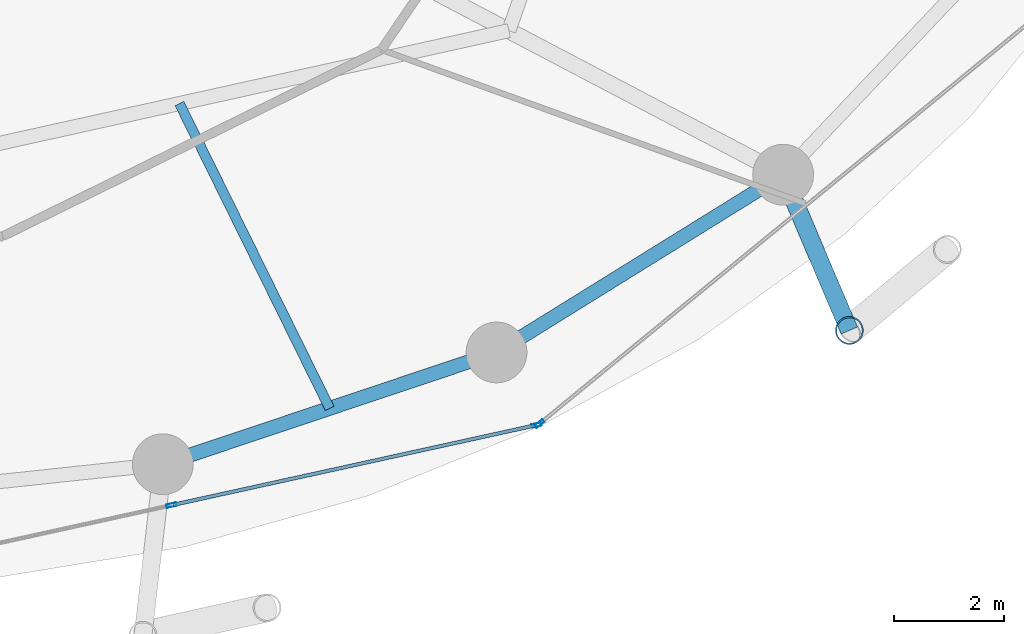
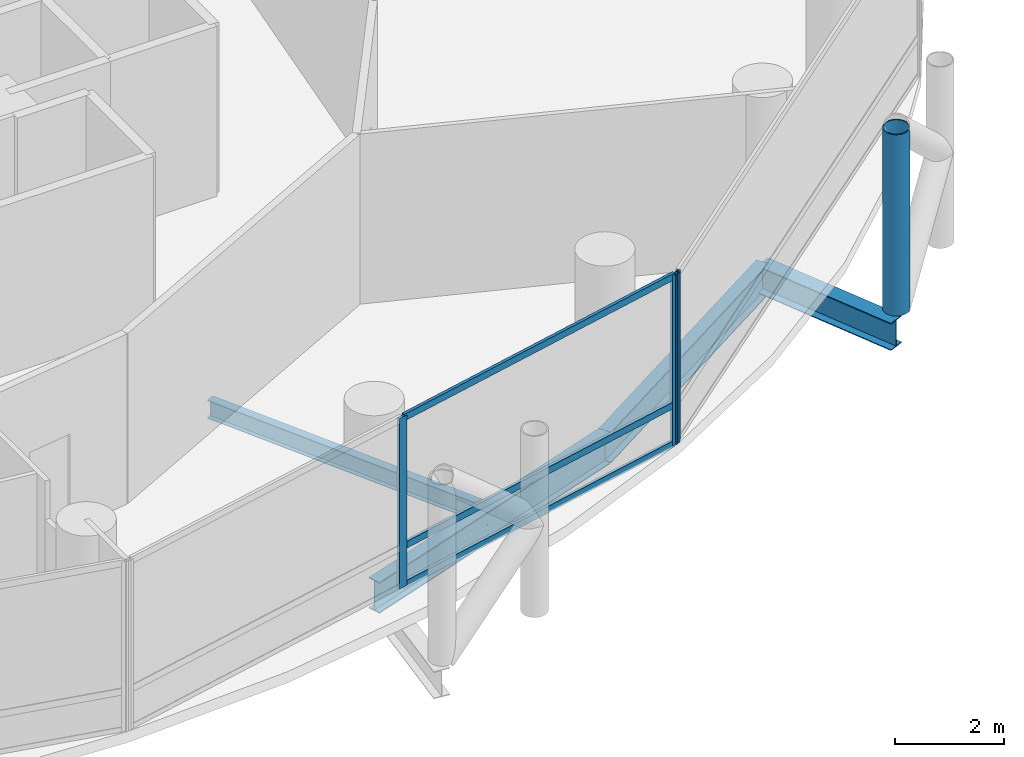
# One storey, part 8 of 25: 7 members, 4 beams, 2 elements without a shape of their own.
"""IFC4 building model written with IfcOpenShell, lengths in metres."""

from ifc_helpers import new_model, si_unit, direction, frame, origin, origin_2d, place, context, subcontext, project, spatial, hollow_rectangle, hollow_circle, i_section, extrude, material, layer, layer_set, material_profile, profile_set, type_object, element, aggregate, save


model = new_model("IFC4")

# Units and contexts
model_context = context("Model", 3, precision=1e-05, world=origin(), true_north=direction((0.0, 1.0)))
body_context = subcontext(model_context, "Body", "Model", "MODEL_VIEW")
ifc_project = project(units=[si_unit("LENGTHUNIT", "METRE"), si_unit("AREAUNIT", "SQUARE_METRE"), si_unit("VOLUMEUNIT", "CUBIC_METRE"), si_unit("PLANEANGLEUNIT", "RADIAN"), si_unit("MASSUNIT", "GRAM", prefix="KILO")], contexts=[model_context])

# Site, building, storey
site_placement = place(None, origin())
site = spatial("IfcSite", under=ifc_project, at=site_placement, CompositionType="ELEMENT")
building_placement = place(site_placement, origin())
building = spatial("IfcBuilding", under=site, at=building_placement, Name="Nuhasar Tower", CompositionType="ELEMENT")
storey_placement = place(building_placement, frame((0.0, 0.0, 61.5)))
storey = spatial("IfcBuildingStorey", under=building, at=storey_placement, Name="L14", CompositionType="ELEMENT", Elevation=61.5)

# Beams
ifc_material_1 = material(Name="Steel S355", Category="steel")
ifc_material_profile_1 = material_profile(ifc_material_1, i_section(OverallWidth=0.177978515625, OverallDepth=0.406005859375, WebThickness=0.0078125, FlangeThickness=0.0126953125, at=origin_2d()), Name="W16X40")
ifc_profile_set_1 = profile_set([ifc_material_profile_1], Name="Steel S355")
beam_type_1 = type_object("IfcBeamType", Name="BM-JST-W16X40", PredefinedType="JOIST", material=ifc_profile_set_1)
beam_1_placement = place(storey_placement, frame((45.783935546875, 13.77001953125, -0.452880859375), z_axis=(0.442126747458, -0.89695258469, 0.0), x_axis=(0.89695258469, 0.442126747458, 0.0)))
element("IfcBeam", 1, at=beam_1_placement, inside=storey, type_object=beam_type_1, Name="L14 Secondary Floor Joist 02", PredefinedType="JOIST", context=body_context, shape_type="SweptSolid", body=[
    extrude(i_section(OverallWidth=0.177978515625, OverallDepth=0.406005859375, WebThickness=0.0078125, FlangeThickness=0.0126953125, at=origin_2d()), origin(), (0.0, 0.0, 1.0), 6.152099609375),
])
ifc_material_profile_2 = material_profile(ifc_material_1, i_section(OverallWidth=0.256103515625, OverallDepth=0.693115234375, WebThickness=0.014404296875, FlangeThickness=0.023681640625, at=origin_2d()), Name="W27X114")
ifc_profile_set_2 = profile_set([ifc_material_profile_2], Name="Steel S355")
beam_type_2 = type_object("IfcBeamType", Name="BM-RING-W27X114", PredefinedType="SPANDREL", material=ifc_profile_set_2)
beam_2_placement = place(storey_placement, frame((45.48291015625, 7.239990234375, -0.595947265625), z_axis=(0.94826097201, 0.317491935271, 0.0), x_axis=(-0.317491935271, 0.94826097201, 0.0)))
element("IfcBeam", 2, at=beam_2_placement, inside=storey, type_object=beam_type_2, Name="L14 Perimeter Ring Spandrel 20", PredefinedType="SPANDREL", context=body_context, shape_type="SweptSolid", body=[
    extrude(i_section(OverallWidth=0.256103515625, OverallDepth=0.693115234375, WebThickness=0.014404296875, FlangeThickness=0.023681640625, at=origin_2d()), origin(), (0.0, 0.0, 1.0), 6.37158203125),
])
beam_3_placement = place(storey_placement, frame((51.52490234375, 9.262939453125, -0.595947265625), z_axis=(0.849795216549, 0.527112976439, 0.0), x_axis=(-0.527112976439, 0.849795216549, 0.0)))
element("IfcBeam", 3, at=beam_3_placement, inside=storey, type_object=beam_type_2, Name="L14 Perimeter Ring Spandrel 21", PredefinedType="SPANDREL", context=body_context, shape_type="SweptSolid", body=[
    extrude(i_section(OverallWidth=0.256103515625, OverallDepth=0.693115234375, WebThickness=0.014404296875, FlangeThickness=0.023681640625, at=origin_2d()), origin(), (0.0, 0.0, 1.0), 6.10498046875),
])
ifc_material_profile_3 = material_profile(ifc_material_1, i_section(OverallWidth=0.323974609375, OverallDepth=0.611083984375, WebThickness=0.0126953125, FlangeThickness=0.01904296875, at=origin_2d()), Name="W24X104")
ifc_profile_set_3 = profile_set([ifc_material_profile_3], Name="Steel S355")
beam_type_3 = type_object("IfcBeamType", Name="BM-TIE-W24X104", PredefinedType="BEAM", material=ifc_profile_set_3)
beam_4_placement = place(storey_placement, frame((56.712890625, 12.48095703125, -0.555908203125), z_axis=(0.391601084021, -0.920135093882, 0.0), x_axis=(0.920135093882, 0.391601084021, 0.0)))
element("IfcBeam", 4, at=beam_4_placement, inside=storey, type_object=beam_type_3, Name="L14 Exoskeleton Node Tie Beam 11", PredefinedType="BEAM", context=body_context, shape_type="SweptSolid", body=[
    extrude(i_section(OverallWidth=0.323974609375, OverallDepth=0.611083984375, WebThickness=0.0126953125, FlangeThickness=0.01904296875, at=origin_2d()), origin(), (0.0, 0.0, 1.0), 3.06494140625),
])

# Curtain wall, members
ifc_material_2 = material(Name="Aluminium 6063-T6", Category="aluminium")
ifc_layer = layer(ifc_material_2, 0.199951171875)
ifc_layer_set = layer_set([ifc_layer], Name="Aluminium 6063-T6")
curtain_wall_type = type_object("IfcCurtainWallType", Name="CW-Z1-OFF", PredefinedType="NOTDEFINED", material=ifc_layer_set)
curtain_wall_1_placement = place(storey_placement, origin())
curtain_wall_1 = element("IfcCurtainWall", 5, at=curtain_wall_1_placement, inside=storey, type_object=curtain_wall_type, Name="L14 Unitised Curtain Wall 10", PredefinedType="NOTDEFINED")
ifc_material_profile_4 = material_profile(ifc_material_2, hollow_rectangle(XDim=0.06494140625, YDim=0.179931640625, WallThickness=0.0048828125, at=origin_2d()), Name="CWM-2")
ifc_profile_set_4 = profile_set([ifc_material_profile_4], Name="Aluminium 6063-T6")
member_type_1 = type_object("IfcMemberType", Name="CW-MUL-S2", PredefinedType="MULLION", material=ifc_profile_set_4)
member_1_placement = place(storey_placement, frame((45.639892578125, 6.49755859375, 0.0), z_axis=(0.0, 0.0, 1.0), x_axis=(-0.214398737637, 0.976746221544, 0.0)))
member_1 = element("IfcMember", 6, at=member_1_placement, type_object=member_type_1, Name="CW-Z1 mullion 2", PredefinedType="MULLION", context=body_context, shape_type="SweptSolid", body=[
    extrude(hollow_rectangle(XDim=0.06494140625, YDim=0.179931640625, WallThickness=0.0048828125, at=origin_2d()), origin(), (0.0, 0.0, 1.0), 3.800048828125),
])
member_2_placement = place(storey_placement, frame((52.248291015625, 7.947998046875, 0.0), z_axis=(0.0, 0.0, 1.0), x_axis=(-0.214398737637, 0.976746221544, 0.0)))
member_2 = element("IfcMember", 7, at=member_2_placement, type_object=member_type_1, Name="CW-Z1 mullion 3", PredefinedType="MULLION", context=body_context, shape_type="SweptSolid", body=[
    extrude(hollow_rectangle(XDim=0.06494140625, YDim=0.179931640625, WallThickness=0.0048828125, at=origin_2d()), origin(), (0.0, 0.0, 1.0), 3.800048828125),
])

# Curtain wall, member
curtain_wall_2_placement = place(storey_placement, origin())
curtain_wall_2 = element("IfcCurtainWall", 8, at=curtain_wall_2_placement, inside=storey, type_object=curtain_wall_type, Name="L14 Unitised Curtain Wall 11", PredefinedType="NOTDEFINED")
member_3_placement = place(storey_placement, frame((52.30517578125, 7.9755859375, 0.0), z_axis=(0.0, 0.0, 1.0), x_axis=(-0.633744593376, 0.773542364946, 0.0)))
member_3 = element("IfcMember", 9, at=member_3_placement, type_object=member_type_1, Name="CW-Z1 mullion 1", PredefinedType="MULLION", context=body_context, shape_type="SweptSolid", body=[
    extrude(hollow_rectangle(XDim=0.06494140625, YDim=0.179931640625, WallThickness=0.0048828125, at=origin_2d()), origin(), (0.0, 0.0, 1.0), 3.800048828125),
])
aggregate(curtain_wall_2, [member_3])

# Member
ifc_material_profile_5 = material_profile(ifc_material_2, hollow_rectangle(XDim=0.06494140625, YDim=0.14990234375, WallThickness=0.00439453125, at=origin_2d()), Name="CWT-2")
ifc_profile_set_5 = profile_set([ifc_material_profile_5], Name="Aluminium 6063-T6")
member_type_2 = type_object("IfcMemberType", Name="CW-TRN-S2", PredefinedType="USERDEFINED", material=ifc_profile_set_5)
member_4_placement = place(storey_placement, frame((45.671630859375, 6.50439453125, 0.032470703125), z_axis=(0.976741923778, 0.214418316228, 0.0), x_axis=(-0.214418316228, 0.976741923778, 0.0)))
member_4 = element("IfcMember", 10, at=member_4_placement, type_object=member_type_2, Name="CW-Z1 transom 2.1", ObjectType="TRANSOM", PredefinedType="USERDEFINED", context=body_context, shape_type="SweptSolid", body=[
    extrude(hollow_rectangle(XDim=0.06494140625, YDim=0.14990234375, WallThickness=0.00439453125, at=origin_2d()), origin(), (0.0, 0.0, 1.0), 6.70068359375),
])

member_5_placement = place(storey_placement, frame((45.671630859375, 6.50439453125, 0.89990234375), z_axis=(0.976741923778, 0.214418316228, 0.0), x_axis=(-0.214418316228, 0.976741923778, 0.0)))
member_5 = element("IfcMember", 11, at=member_5_placement, type_object=member_type_2, Name="CW-Z1 transom 2.2", ObjectType="TRANSOM", PredefinedType="USERDEFINED", context=body_context, shape_type="SweptSolid", body=[
    extrude(hollow_rectangle(XDim=0.06494140625, YDim=0.14990234375, WallThickness=0.00439453125, at=origin_2d()), origin(), (0.0, 0.0, 1.0), 6.70068359375),
])

member_6_placement = place(storey_placement, frame((45.671630859375, 6.50439453125, 3.767578125), z_axis=(0.976741923778, 0.214418316228, 0.0), x_axis=(-0.214418316228, 0.976741923778, 0.0)))
member_6 = element("IfcMember", 12, at=member_6_placement, type_object=member_type_2, Name="CW-Z1 transom 2.3", ObjectType="TRANSOM", PredefinedType="USERDEFINED", context=body_context, shape_type="SweptSolid", body=[
    extrude(hollow_rectangle(XDim=0.06494140625, YDim=0.14990234375, WallThickness=0.00439453125, at=origin_2d()), origin(), (0.0, 0.0, 1.0), 6.70068359375),
])

aggregate(curtain_wall_1, [member_1, member_2, member_4, member_5, member_6])

ifc_material_3 = material(Name="Steel S460", Category="steel")
ifc_material_profile_6 = material_profile(ifc_material_3, hollow_circle(Radius=0.25390625, WallThickness=0.025390625, at=origin_2d()), Name="HSS508X25.4")
ifc_profile_set_6 = profile_set([ifc_material_profile_6], Name="Steel S460")
member_type_3 = type_object("IfcMemberType", Name="EXO-BRONZE-508", PredefinedType="BRACE", material=ifc_profile_set_6)
member_7_placement = place(storey_placement, frame((57.9130859375, 9.660888671875, 0.0), z_axis=(0.0, 0.0, 1.0), x_axis=(1.0, 0.0, 0.0)))
element("IfcMember", 13, at=member_7_placement, inside=storey, type_object=member_type_3, Name="L14 Exoskeleton Chord Column EC-11A", PredefinedType="BRACE", context=body_context, shape_type="SweptSolid", body=[
    extrude(hollow_circle(Radius=0.25390625, WallThickness=0.025390625, at=origin_2d()), origin(), (0.0, 0.0, 1.0), 4.050048828125),
])

save(model, "model.ifc")
